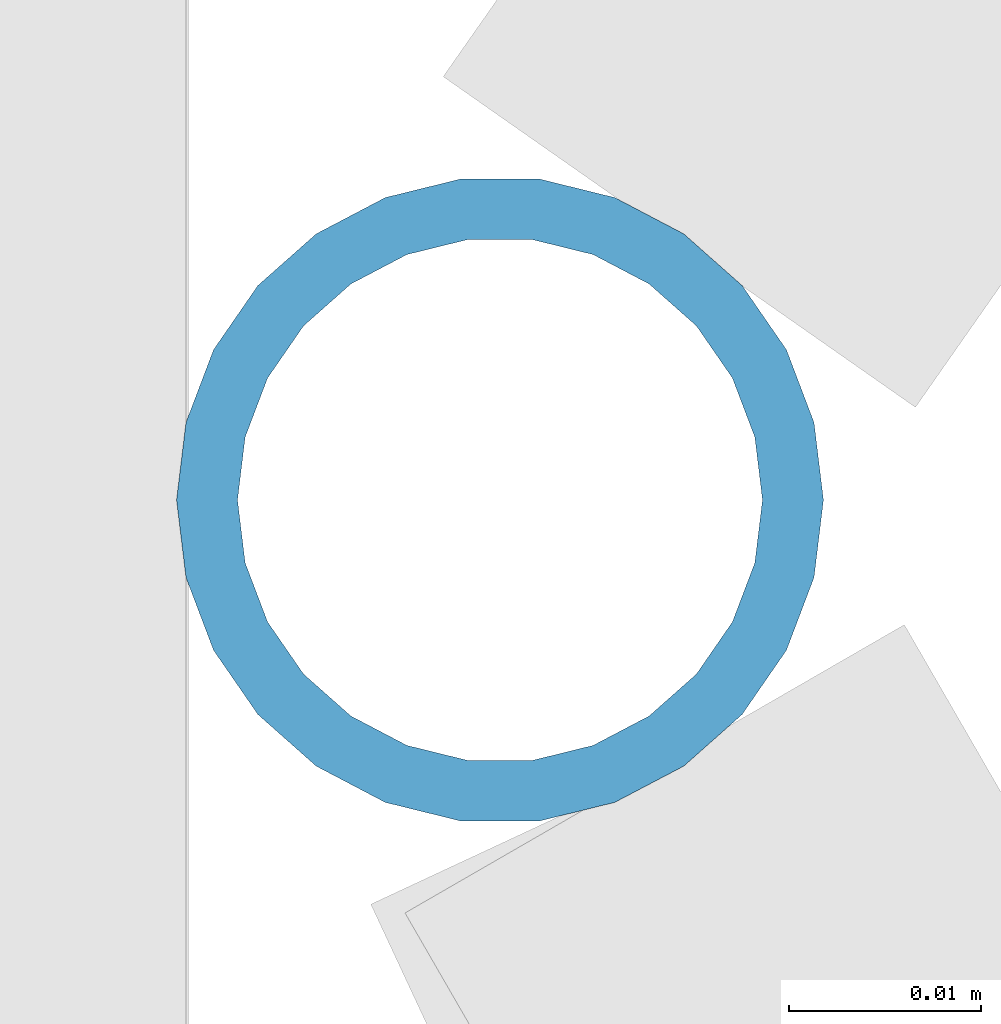
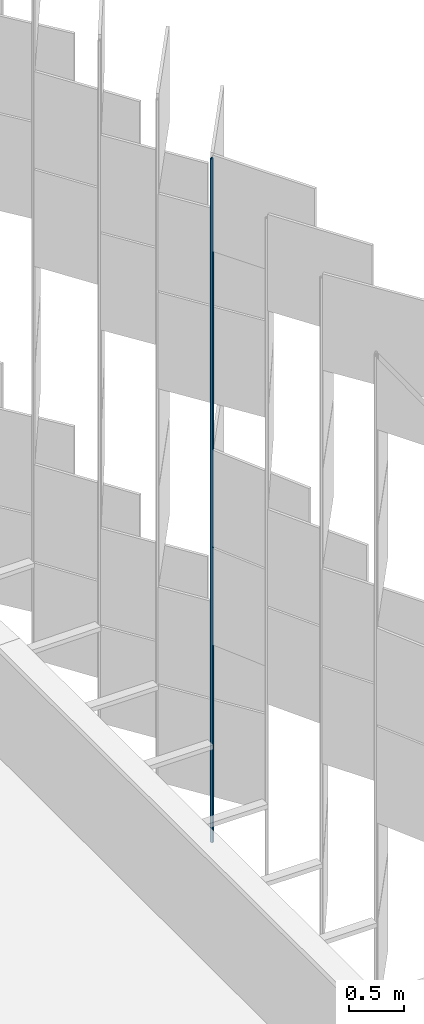
# One storey, part 284 of 483: 1 discrete accessory.
"""IFC4 building model written with IfcOpenShell, lengths in metres."""

from ifc_helpers import new_model, si_unit, direction, frame, origin, origin_2d, place, context, subcontext, project, spatial, hollow_circle, extrude, material, material_profile, profile_set, type_object, element, save


model = new_model("IFC4")

# Units and contexts
model_context = context("Model", 3, precision=1e-05, world=origin(), true_north=direction((0.0, 1.0)))
body_context = subcontext(model_context, "Body", "Model", "MODEL_VIEW")
ifc_project = project(units=[si_unit("LENGTHUNIT", "METRE"), si_unit("AREAUNIT", "SQUARE_METRE"), si_unit("VOLUMEUNIT", "CUBIC_METRE"), si_unit("PLANEANGLEUNIT", "RADIAN"), si_unit("MASSUNIT", "GRAM", prefix="KILO")], contexts=[model_context])

# Site, building, storey
site_placement = place(None, origin())
site = spatial("IfcSite", under=ifc_project, at=site_placement, CompositionType="ELEMENT")
building_placement = place(site_placement, origin())
building = spatial("IfcBuilding", under=site, at=building_placement, Name="Parallax Yard Mobility Hub", CompositionType="ELEMENT")
storey_placement = place(building_placement, frame((0.0, 0.0, 13.199951171875)))
storey = spatial("IfcBuildingStorey", under=building, at=storey_placement, Name="L04", CompositionType="ELEMENT", Elevation=13.199951171875)

# Discrete accessory
ifc_material = material(Name="Steel ASTM A500 Gr C, hot-dip galvanised", Category="steel")
ifc_material_profile = material_profile(ifc_material, hollow_circle(Radius=0.016845703125, WallThickness=0.003173828125, at=origin_2d()), Name="CHS 33.7x3.2")
ifc_profile_set = profile_set([ifc_material_profile], Name="Steel ASTM A500 Gr C, hot-dip galvanised")
discrete_accessory_type = type_object("IfcDiscreteAccessoryType", Name="Hinge post CHS 33.7x3.2", PredefinedType="BRACKET", material=ifc_profile_set)
discrete_accessory_placement = place(storey_placement, frame((225.771728515625, 87.85888671875, 0.0), z_axis=(0.0, 0.0, 1.0), x_axis=(1.0, 0.0, 0.0)))
element("IfcDiscreteAccessory", 1, at=discrete_accessory_placement, inside=storey, type_object=discrete_accessory_type, Name="Hinge post bay 40.6 level L04", PredefinedType="BRACKET", context=body_context, shape_type="SweptSolid", body=[
    extrude(hollow_circle(Radius=0.016845703125, WallThickness=0.003173828125, at=origin_2d()), origin(), (0.0, 0.0, 1.0), 7.650146484375),
])

save(model, "model.ifc")
